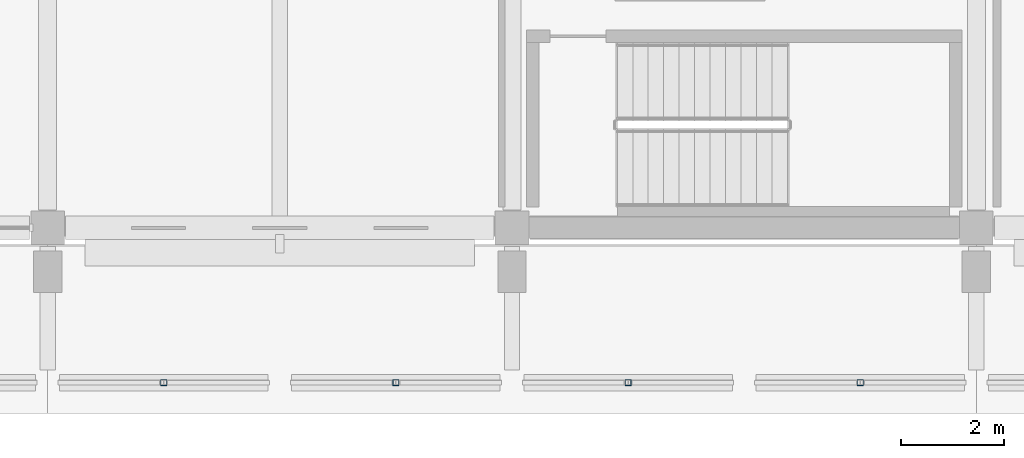
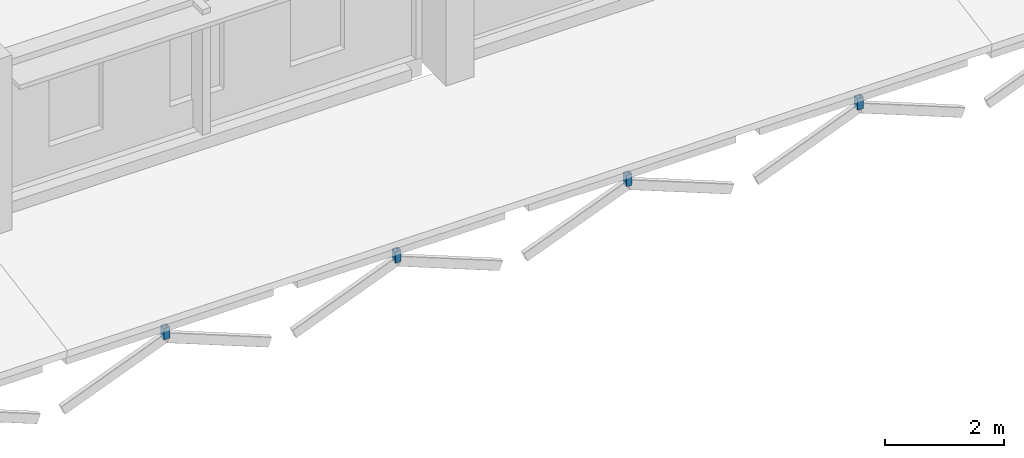
# One storey, part 87 of 132: 4 members.
"""IFC4 building model written with IfcOpenShell, lengths in metres."""

from ifc_helpers import new_model, si_unit, direction, frame, origin, origin_2d, place, context, subcontext, project, spatial, hollow_rectangle, extrude, material, material_profile, profile_set, type_object, element, save


model = new_model("IFC4")

# Units and contexts
model_context = context("Model", 3, precision=1e-05, world=origin(), true_north=direction((0.0, 1.0)))
body_context = subcontext(model_context, "Body", "Model", "MODEL_VIEW")
ifc_project = project(units=[si_unit("LENGTHUNIT", "METRE"), si_unit("AREAUNIT", "SQUARE_METRE"), si_unit("VOLUMEUNIT", "CUBIC_METRE"), si_unit("PLANEANGLEUNIT", "RADIAN"), si_unit("MASSUNIT", "GRAM", prefix="KILO")], contexts=[model_context])

# Site, building, storey
site_placement = place(None, origin())
site = spatial("IfcSite", under=ifc_project, at=site_placement, CompositionType="ELEMENT")
building_placement = place(site_placement, origin())
building = spatial("IfcBuilding", under=site, at=building_placement, Name="Tharagai Park Tramway Depot", CompositionType="ELEMENT")
storey_placement = place(building_placement, frame((0.0, 0.0, 4.800048828125)))
storey = spatial("IfcBuildingStorey", under=building, at=storey_placement, Name="L01", CompositionType="ELEMENT", Elevation=4.800048828125)

# Members
ifc_material = material(Name="Steel E250", Category="steel")
ifc_material_profile = material_profile(ifc_material, hollow_rectangle(XDim=0.1201171875, YDim=0.1201171875, WallThickness=0.0048828125, InnerFilletRadius=0.0048828125, OuterFilletRadius=0.010009765625, at=origin_2d()), Name="SHS 120x120x5")
ifc_profile_set = profile_set([ifc_material_profile], Name="Steel E250")
member_type = type_object("IfcMemberType", Name="BR-08", PredefinedType="BRACE", material=ifc_profile_set)
for number, where, z_axis, x_axis, name in (
    (1, (56.25, -3.0, -1.840087890625), (0.0, 0.0, 1.0), (1.0, 0.0, 0.0), "Pointed Gothic Spandrel Tracery Post BR-08"),
    (2, (60.75, -3.0, -1.840087890625), (0.0, 0.0, 1.0), (1.0, 0.0, 0.0), "Pointed Gothic Spandrel Tracery Post BR-08"),
    (3, (65.25, -3.0, -1.840087890625), (0.0, 0.0, 1.0), (1.0, 0.0, 0.0), "Pointed Gothic Spandrel Tracery Post BR-08"),
    (4, (69.75, -3.0, -1.840087890625), (0.0, 0.0, 1.0), (1.0, 0.0, 0.0), "Pointed Gothic Spandrel Tracery Post BR-08"),
):
    element("IfcMember", number, at=place(storey_placement, frame(where, z_axis=z_axis, x_axis=x_axis)), inside=storey, type_object=member_type, Name=name, PredefinedType="BRACE", context=body_context, shape_type="SweptSolid", body=[
        extrude(hollow_rectangle(XDim=0.1201171875, YDim=0.1201171875, WallThickness=0.0048828125, InnerFilletRadius=0.0048828125, OuterFilletRadius=0.010009765625, at=origin_2d()), origin(), (0.0, 0.0, 1.0), 0.22998046875),
    ])

save(model, "model.ifc")
